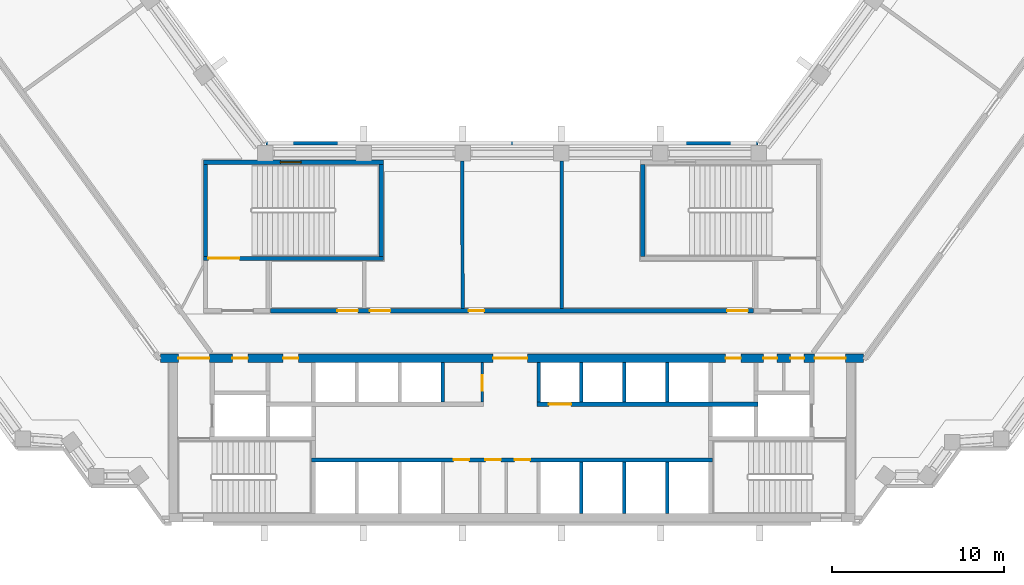
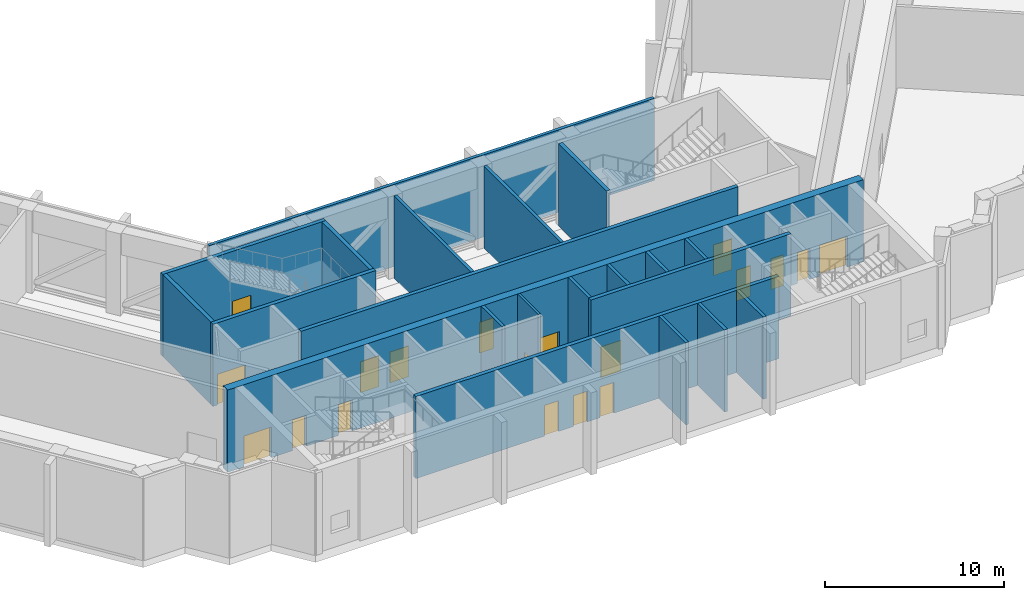
# One storey, part 10 of 16: 21 walls, 18 doors, 1 window, 19 openings.
"""IFC4 building model written with IfcOpenShell, lengths in metres."""

from ifc_helpers import new_model, si_unit, direction, frame, frame_2d, origin, place, context, subcontext, project, spatial, rectangle, extrude, material, layer, layer_set, type_object, element, fill, save


model = new_model("IFC4")

# Units and contexts
model_context = context("Model", 3, precision=1e-05, world=origin(), true_north=direction((0.0, 1.0)))
body_context = subcontext(model_context, "Body", "Model", "MODEL_VIEW")
ifc_project = project(units=[si_unit("LENGTHUNIT", "METRE"), si_unit("AREAUNIT", "SQUARE_METRE"), si_unit("VOLUMEUNIT", "CUBIC_METRE"), si_unit("PLANEANGLEUNIT", "RADIAN"), si_unit("MASSUNIT", "GRAM", prefix="KILO")], contexts=[model_context])

# Site, building, storey
site_placement = place(None, origin())
site = spatial("IfcSite", under=ifc_project, at=site_placement, CompositionType="ELEMENT")
building_placement = place(site_placement, origin())
building = spatial("IfcBuilding", under=site, at=building_placement, Name="Quipu Civic Tower", CompositionType="ELEMENT")
storey_placement = place(building_placement, frame((0.0, 0.0, 133.0)))
storey = spatial("IfcBuildingStorey", under=building, at=storey_placement, Name="L31", CompositionType="ELEMENT", Elevation=133.0)

# Walls
ifc_material_1 = material(Name="Fired clay blockwork", Category="masonry")
ifc_layer_1 = layer(ifc_material_1, 0.199951171875)
ifc_layer_set_1 = layer_set([ifc_layer_1], Name="Fired clay blockwork")
wall_type_1 = type_object("IfcWallType", Name="Blockwork wall 200", PredefinedType="SOLIDWALL", material=ifc_layer_set_1)
for number, where, z_axis, x_axis, name in (
    (1, (-2.87890625, 1.449951171875, 0.0), (0.0, 0.0, 1.0), (-0.002499637128, 0.999996875902, 0.0), "Partition P06"),
    (2, (2.89892578125, 10.044921875, 0.0), (0.0, 0.0, 1.0), (0.0, -1.0, 0.0), "Partition P07"),
):
    element("IfcWall", number, at=place(storey_placement, frame(where, z_axis=z_axis, x_axis=x_axis)), inside=storey, type_object=wall_type_1, Name=name, PredefinedType="SOLIDWALL", context=body_context, shape_type="SweptSolid", body=[
        extrude(rectangle(XDim=8.594970703125, YDim=0.199951171875, at=frame_2d((4.29736328125, 0.0))), origin(), (0.0, 0.0, 1.0), 5.60009765625),
    ])

# Wall, openings, doors
ifc_material_2 = material(Name="Concrete C70/85", Category="concrete")
ifc_layer_2 = layer(ifc_material_2, 0.25)
ifc_layer_set_2 = layer_set([ifc_layer_2], Name="Concrete C70/85")
wall_type_2 = type_object("IfcWallType", Name="Core wall 250", PredefinedType="SHEAR", material=ifc_layer_set_2)
wall_1_placement = place(storey_placement, frame((11.699951171875, -7.375, 0.0), z_axis=(0.0, 0.0, 1.0), x_axis=(-1.0, 0.0, 0.0)))
wall_1 = element("IfcWall", 3, at=wall_1_placement, inside=storey, type_object=wall_type_2, Name="Core wall", PredefinedType="SHEAR", context=body_context, shape_type="SweptSolid", body=[
    extrude(rectangle(XDim=23.39990234375, YDim=0.25, at=frame_2d((11.699951171875, 0.0))), origin(), (0.0, 0.0, 1.0), 5.60009765625),
])
opening_1_placement = place(wall_1_placement, frame((14.199951171875, 0.0, 0.0)))
opening_1 = element("IfcOpeningElement", 4, at=opening_1_placement, cuts=wall_1, Name="Opening CD-01", PredefinedType="OPENING", context=body_context, shape_type="SweptSolid", body=[
    extrude(rectangle(XDim=0.89990234375, YDim=2.10009765625, at=frame_2d((0.449951171875, 1.050048828125))), frame((0.0, 0.135009765625, 0.0), z_axis=(0.0, -1.0, 0.0), x_axis=(1.0, 0.0, 0.0)), (0.0, 0.0, 1.0), 0.27001953125),
])
opening_2_placement = place(wall_1_placement, frame((12.35009765625, 0.0, 0.0)))
opening_2 = element("IfcOpeningElement", 5, at=opening_2_placement, cuts=wall_1, Name="Opening CD-02", PredefinedType="OPENING", context=body_context, shape_type="SweptSolid", body=[
    extrude(rectangle(XDim=0.89990234375, YDim=2.10009765625, at=frame_2d((0.449951171875, 1.050048828125))), frame((0.0, 0.135009765625, 0.0), z_axis=(0.0, -1.0, 0.0), x_axis=(1.0, 0.0, 0.0)), (0.0, 0.0, 1.0), 0.27001953125),
])
opening_3_placement = place(wall_1_placement, frame((10.64990234375, 0.0, 0.0)))
opening_3 = element("IfcOpeningElement", 6, at=opening_3_placement, cuts=wall_1, Name="Opening CD-03", PredefinedType="OPENING", context=body_context, shape_type="SweptSolid", body=[
    extrude(rectangle(XDim=0.89990234375, YDim=2.10009765625, at=frame_2d((0.449951171875, 1.050048828125))), frame((0.0, 0.135009765625, 0.0), z_axis=(0.0, -1.0, 0.0), x_axis=(1.0, 0.0, 0.0)), (0.0, 0.0, 1.0), 0.27001953125),
])
ifc_material_3 = material(Name="Fire rated steel door", Category="steel")
door_type_1 = type_object("IfcDoorType", Name="Fire door FD60 900 x 2100", OperationType="NOTDEFINED", PredefinedType="DOOR", material=ifc_material_3)
door_1_placement = place(opening_1_placement, origin())
door_1 = element("IfcDoor", 7, at=door_1_placement, inside=storey, type_object=door_type_1, Name="Plant door", OperationType="SINGLE_SWING_RIGHT", OverallHeight=2.10009765625, OverallWidth=0.89990234375, PredefinedType="DOOR", context=body_context, shape_type="SweptSolid", body=[
    extrude(rectangle(XDim=0.89990234375, YDim=2.10009765625, at=frame_2d((0.449951171875, 1.050048828125))), frame((0.0, 0.02490234375, 0.0), z_axis=(0.0, -1.0, 0.0), x_axis=(1.0, 0.0, 0.0)), (0.0, 0.0, 1.0), 0.050048828125),
])
fill(opening_1, door_1)
door_2_placement = place(opening_2_placement, origin())
door_2 = element("IfcDoor", 8, at=door_2_placement, inside=storey, type_object=door_type_1, Name="Plant door", OperationType="SINGLE_SWING_RIGHT", OverallHeight=2.10009765625, OverallWidth=0.89990234375, PredefinedType="DOOR", context=body_context, shape_type="SweptSolid", body=[
    extrude(rectangle(XDim=0.89990234375, YDim=2.10009765625, at=frame_2d((0.449951171875, 1.050048828125))), frame((0.0, 0.02490234375, 0.0), z_axis=(0.0, -1.0, 0.0), x_axis=(1.0, 0.0, 0.0)), (0.0, 0.0, 1.0), 0.050048828125),
])
fill(opening_2, door_2)
door_3_placement = place(opening_3_placement, origin())
door_3 = element("IfcDoor", 9, at=door_3_placement, inside=storey, type_object=door_type_1, Name="Plant door", OperationType="SINGLE_SWING_LEFT", OverallHeight=2.10009765625, OverallWidth=0.89990234375, PredefinedType="DOOR", context=body_context, shape_type="SweptSolid", body=[
    extrude(rectangle(XDim=0.89990234375, YDim=2.10009765625, at=frame_2d((0.449951171875, 1.050048828125))), frame((0.0, 0.02490234375, 0.0), z_axis=(0.0, -1.0, 0.0), x_axis=(1.0, 0.0, 0.0)), (0.0, 0.0, 1.0), 0.050048828125),
])
fill(opening_3, door_3)

# Wall, opening, door
wall_2_placement = place(storey_placement, frame((1.449951171875, -4.125, 0.0), z_axis=(0.0, 0.0, 1.0), x_axis=(1.0, 0.0, 0.0)))
wall_2 = element("IfcWall", 10, at=wall_2_placement, inside=storey, type_object=wall_type_2, Name="Core wall", PredefinedType="SHEAR", context=body_context, shape_type="SweptSolid", body=[
    extrude(rectangle(XDim=12.900146484375, YDim=0.25, at=frame_2d((6.4501953125, 0.0))), origin(), (0.0, 0.0, 1.0), 5.60009765625),
])
opening_4_placement = place(wall_2_placement, frame((0.699951171875, 0.0, 0.0)))
opening_4 = element("IfcOpeningElement", 11, at=opening_4_placement, cuts=wall_2, Name="Opening LD-FF3", PredefinedType="OPENING", context=body_context, shape_type="SweptSolid", body=[
    extrude(rectangle(XDim=1.300048828125, YDim=2.10009765625, at=frame_2d((0.64990234375, 1.050048828125))), frame((0.0, 0.135009765625, 0.0), z_axis=(0.0, -1.0, 0.0), x_axis=(1.0, 0.0, 0.0)), (0.0, 0.0, 1.0), 0.27001953125),
])
ifc_material_4 = material(Name="Stainless steel", Category="steel")
door_type_2 = type_object("IfcDoorType", Name="Lift landing door 1300 x 2100", OperationType="DOUBLE_DOOR_SLIDING", PredefinedType="DOOR", material=ifc_material_4)
door_4_placement = place(opening_4_placement, origin())
door_4 = element("IfcDoor", 12, at=door_4_placement, inside=storey, type_object=door_type_2, Name="Landing door FF3", OperationType="DOUBLE_DOOR_SLIDING", OverallHeight=2.10009765625, OverallWidth=1.300048828125, PredefinedType="DOOR", context=body_context, shape_type="SweptSolid", body=[
    extrude(rectangle(XDim=1.300048828125, YDim=2.10009765625, at=frame_2d((0.64990234375, 1.050048828125))), frame((0.0, 0.02490234375, 0.0), z_axis=(0.0, -1.0, 0.0), x_axis=(1.0, 0.0, 0.0)), (0.0, 0.0, 1.0), 0.050048828125),
])
fill(opening_4, door_4)

wall_3_placement = place(storey_placement, frame((-18.0, 4.375, 0.0), z_axis=(0.0, 0.0, 1.0), x_axis=(1.0, 0.0, 0.0)))
wall_3 = element("IfcWall", 13, at=wall_3_placement, inside=storey, type_object=wall_type_2, Name="Core wall", PredefinedType="SHEAR", context=body_context, shape_type="SweptSolid", body=[
    extrude(rectangle(XDim=10.5, YDim=0.25, at=frame_2d((5.25, 0.0))), origin(), (0.0, 0.0, 1.0), 5.60009765625),
])
opening_5_placement = place(wall_3_placement, frame((0.300048828125, 0.0, 0.0)))
opening_5 = element("IfcOpeningElement", 14, at=opening_5_placement, cuts=wall_3, Name="Opening CD-16", PredefinedType="OPENING", context=body_context, shape_type="SweptSolid", body=[
    extrude(rectangle(XDim=1.800048828125, YDim=2.10009765625, at=frame_2d((0.89990234375, 1.050048828125))), frame((0.0, 0.135009765625, 0.0), z_axis=(0.0, -1.0, 0.0), x_axis=(1.0, 0.0, 0.0)), (0.0, 0.0, 1.0), 0.27001953125),
])
ifc_material_5 = material(Name="Fire rated steel door", Category="steel")
door_type_3 = type_object("IfcDoorType", Name="Fire door FD90 double 1800 x 2100", OperationType="NOTDEFINED", PredefinedType="DOOR", material=ifc_material_5)
door_5_placement = place(opening_5_placement, origin())
door_5 = element("IfcDoor", 15, at=door_5_placement, inside=storey, type_object=door_type_3, Name="Door", OperationType="DOUBLE_DOOR_SINGLE_SWING", OverallHeight=2.10009765625, OverallWidth=1.800048828125, PredefinedType="DOOR", context=body_context, shape_type="SweptSolid", body=[
    extrude(rectangle(XDim=1.800048828125, YDim=2.10009765625, at=frame_2d((0.89990234375, 1.050048828125))), frame((0.0, 0.02490234375, 0.0), z_axis=(0.0, -1.0, 0.0), x_axis=(1.0, 0.0, 0.0)), (0.0, 0.0, 1.0), 0.050048828125),
])
fill(opening_5, door_5)

# Walls
for number, where, z_axis, x_axis, name in (
    (16, (-17.875, 4.5, 0.0), (0.0, 0.0, 1.0), (0.0, 1.0, 0.0), "Core wall"),
    (17, (-7.625, 4.5, 0.0), (0.0, 0.0, 1.0), (0.0, 1.0, 0.0), "Core wall"),
):
    element("IfcWall", number, at=place(storey_placement, frame(where, z_axis=z_axis, x_axis=x_axis)), inside=storey, type_object=wall_type_2, Name=name, PredefinedType="SHEAR", context=body_context, shape_type="SweptSolid", body=[
        extrude(rectangle(XDim=5.35009765625, YDim=0.25, at=frame_2d((2.675048828125, 0.0))), origin(), (0.0, 0.0, 1.0), 5.60009765625),
    ])

# Wall, opening, window
wall_4_placement = place(storey_placement, frame((-18.0, 9.97509765625, 0.0), z_axis=(0.0, 0.0, 1.0), x_axis=(1.0, 0.0, 0.0)))
wall_4 = element("IfcWall", 18, at=wall_4_placement, inside=storey, type_object=wall_type_2, Name="Core wall", PredefinedType="SHEAR", context=body_context, shape_type="SweptSolid", body=[
    extrude(rectangle(XDim=10.5, YDim=0.25, at=frame_2d((5.25, 0.0))), origin(), (0.0, 0.0, 1.0), 5.60009765625),
])
opening_6_placement = place(wall_4_placement, frame((4.5, 0.0, 1.0)))
opening_6 = element("IfcOpeningElement", 19, at=opening_6_placement, cuts=wall_4, Name="Opening SV-3", PredefinedType="OPENING", context=body_context, shape_type="SweptSolid", body=[
    extrude(rectangle(XDim=1.199951171875, YDim=1.199951171875, at=frame_2d((0.60009765625, 0.60009765625))), frame((0.0, 0.135009765625, 0.0), z_axis=(0.0, -1.0, 0.0), x_axis=(1.0, 0.0, 0.0)), (0.0, 0.0, 1.0), 0.27001953125),
])
ifc_material_6 = material(Name="Aluminium louvre", Category="aluminium")
window_type = type_object("IfcWindowType", Name="Stair ventilation louvre 1200 x 1200", PartitioningType="SINGLE_PANEL", PredefinedType="WINDOW", material=ifc_material_6)
window_placement = place(opening_6_placement, origin())
window = element("IfcWindow", 20, at=window_placement, inside=storey, type_object=window_type, Name="Stair ventilation opening", OverallHeight=1.199951171875, OverallWidth=1.199951171875, PartitioningType="SINGLE_PANEL", PredefinedType="WINDOW", context=body_context, shape_type="SweptSolid", body=[
    extrude(rectangle(XDim=1.199951171875, YDim=1.199951171875, at=frame_2d((0.60009765625, 0.60009765625))), frame((0.0, 0.030029296875, 0.0), z_axis=(0.0, -1.0, 0.0), x_axis=(1.0, 0.0, 0.0)), (0.0, 0.0, 1.0), 0.06005859375),
])
fill(opening_6, window)

# Wall
wall_5_placement = place(storey_placement, frame((7.625, 4.5, 0.0), z_axis=(0.0, 0.0, 1.0), x_axis=(0.0, 1.0, 0.0)))
element("IfcWall", 21, at=wall_5_placement, inside=storey, type_object=wall_type_2, Name="Core wall", PredefinedType="SHEAR", context=body_context, shape_type="SweptSolid", body=[
    extrude(rectangle(XDim=5.35009765625, YDim=0.25, at=frame_2d((2.675048828125, 0.0))), origin(), (0.0, 0.0, 1.0), 5.60009765625),
])

# Wall, openings, doors
ifc_material_7 = material(Name="Concrete C70/85", Category="concrete")
ifc_layer_3 = layer(ifc_material_7, 0.5)
ifc_layer_set_3 = layer_set([ifc_layer_3], Name="Concrete C70/85")
wall_type_3 = type_object("IfcWallType", Name="Core wall 500", PredefinedType="SHEAR", material=ifc_layer_set_3)
wall_6_placement = place(storey_placement, frame((20.489990234375, -1.449951171875, 0.0), z_axis=(0.0, 0.0, 1.0), x_axis=(-1.0, 0.0, 0.0)))
wall_6 = element("IfcWall", 22, at=wall_6_placement, inside=storey, type_object=wall_type_3, Name="Core wall", PredefinedType="SHEAR", context=body_context, shape_type="SweptSolid", body=[
    extrude(rectangle(XDim=40.97998046875, YDim=0.5, at=frame_2d((20.489990234375, 0.0))), origin(), (0.0, 0.0, 1.0), 5.60009765625),
])
opening_7_placement = place(wall_6_placement, frame((38.139892578125, 0.0, 0.0)))
opening_7 = element("IfcOpeningElement", 23, at=opening_7_placement, cuts=wall_6, Name="Opening CD-07", PredefinedType="OPENING", context=body_context, shape_type="SweptSolid", body=[
    extrude(rectangle(XDim=1.800048828125, YDim=2.10009765625, at=frame_2d((0.89990234375, 1.050048828125))), frame((0.0, 0.260009765625, 0.0), z_axis=(0.0, -1.0, 0.0), x_axis=(1.0, 0.0, 0.0)), (0.0, 0.0, 1.0), 0.52001953125),
])
opening_8_placement = place(wall_6_placement, frame((35.889892578125, 0.0, 0.0)))
opening_8 = element("IfcOpeningElement", 24, at=opening_8_placement, cuts=wall_6, Name="Opening CD-08", PredefinedType="OPENING", context=body_context, shape_type="SweptSolid", body=[
    extrude(rectangle(XDim=0.89990234375, YDim=2.10009765625, at=frame_2d((0.449951171875, 1.050048828125))), frame((0.0, 0.260009765625, 0.0), z_axis=(0.0, -1.0, 0.0), x_axis=(1.0, 0.0, 0.0)), (0.0, 0.0, 1.0), 0.52001953125),
])
opening_9_placement = place(wall_6_placement, frame((32.93994140625, 0.0, 0.0)))
opening_9 = element("IfcOpeningElement", 25, at=opening_9_placement, cuts=wall_6, Name="Opening CD-09", PredefinedType="OPENING", context=body_context, shape_type="SweptSolid", body=[
    extrude(rectangle(XDim=0.89990234375, YDim=2.10009765625, at=frame_2d((0.449951171875, 1.050048828125))), frame((0.0, 0.260009765625, 0.0), z_axis=(0.0, -1.0, 0.0), x_axis=(1.0, 0.0, 0.0)), (0.0, 0.0, 1.0), 0.52001953125),
])
opening_10_placement = place(wall_6_placement, frame((19.590087890625, 0.0, 0.0)))
opening_10 = element("IfcOpeningElement", 26, at=opening_10_placement, cuts=wall_6, Name="Opening CD-10", PredefinedType="OPENING", context=body_context, shape_type="SweptSolid", body=[
    extrude(rectangle(XDim=2.0, YDim=2.10009765625, at=frame_2d((1.0, 1.050048828125))), frame((0.0, 0.260009765625, 0.0), z_axis=(0.0, -1.0, 0.0), x_axis=(1.0, 0.0, 0.0)), (0.0, 0.0, 1.0), 0.52001953125),
])
opening_11_placement = place(wall_6_placement, frame((7.139892578125, 0.0, 0.0)))
opening_11 = element("IfcOpeningElement", 27, at=opening_11_placement, cuts=wall_6, Name="Opening CD-11", PredefinedType="OPENING", context=body_context, shape_type="SweptSolid", body=[
    extrude(rectangle(XDim=0.89990234375, YDim=2.10009765625, at=frame_2d((0.449951171875, 1.050048828125))), frame((0.0, 0.260009765625, 0.0), z_axis=(0.0, -1.0, 0.0), x_axis=(1.0, 0.0, 0.0)), (0.0, 0.0, 1.0), 0.52001953125),
])
opening_12_placement = place(wall_6_placement, frame((5.027587890625, 0.0, 0.0)))
opening_12 = element("IfcOpeningElement", 28, at=opening_12_placement, cuts=wall_6, Name="Opening CD-12", PredefinedType="OPENING", context=body_context, shape_type="SweptSolid", body=[
    extrude(rectangle(XDim=0.800048828125, YDim=2.10009765625, at=frame_2d((0.39990234375, 1.050048828125))), frame((0.0, 0.260009765625, 0.0), z_axis=(0.0, -1.0, 0.0), x_axis=(1.0, 0.0, 0.0)), (0.0, 0.0, 1.0), 0.52001953125),
])
opening_13_placement = place(wall_6_placement, frame((3.452392578125, 0.0, 0.0)))
opening_13 = element("IfcOpeningElement", 29, at=opening_13_placement, cuts=wall_6, Name="Opening CD-13", PredefinedType="OPENING", context=body_context, shape_type="SweptSolid", body=[
    extrude(rectangle(XDim=0.800048828125, YDim=2.10009765625, at=frame_2d((0.39990234375, 1.050048828125))), frame((0.0, 0.260009765625, 0.0), z_axis=(0.0, -1.0, 0.0), x_axis=(1.0, 0.0, 0.0)), (0.0, 0.0, 1.0), 0.52001953125),
])
opening_14_placement = place(wall_6_placement, frame((1.0400390625, 0.0, 0.0)))
opening_14 = element("IfcOpeningElement", 30, at=opening_14_placement, cuts=wall_6, Name="Opening CD-14", PredefinedType="OPENING", context=body_context, shape_type="SweptSolid", body=[
    extrude(rectangle(XDim=1.800048828125, YDim=2.10009765625, at=frame_2d((0.89990234375, 1.050048828125))), frame((0.0, 0.260009765625, 0.0), z_axis=(0.0, -1.0, 0.0), x_axis=(1.0, 0.0, 0.0)), (0.0, 0.0, 1.0), 0.52001953125),
])
ifc_material_8 = material(Name="Fire rated steel door", Category="steel")
door_type_4 = type_object("IfcDoorType", Name="Fire door FD60 800 x 2100", OperationType="NOTDEFINED", PredefinedType="DOOR", material=ifc_material_8)
door_6_placement = place(opening_12_placement, origin())
door_6 = element("IfcDoor", 31, at=door_6_placement, inside=storey, type_object=door_type_4, Name="Door", OperationType="SINGLE_SWING_LEFT", OverallHeight=2.10009765625, OverallWidth=0.800048828125, PredefinedType="DOOR", context=body_context, shape_type="SweptSolid", body=[
    extrude(rectangle(XDim=0.800048828125, YDim=2.10009765625, at=frame_2d((0.39990234375, 1.050048828125))), frame((0.0, 0.02490234375, 0.0), z_axis=(0.0, -1.0, 0.0), x_axis=(1.0, 0.0, 0.0)), (0.0, 0.0, 1.0), 0.050048828125),
])
fill(opening_12, door_6)
door_7_placement = place(opening_13_placement, origin())
door_7 = element("IfcDoor", 32, at=door_7_placement, inside=storey, type_object=door_type_4, Name="Door", OperationType="SINGLE_SWING_LEFT", OverallHeight=2.10009765625, OverallWidth=0.800048828125, PredefinedType="DOOR", context=body_context, shape_type="SweptSolid", body=[
    extrude(rectangle(XDim=0.800048828125, YDim=2.10009765625, at=frame_2d((0.39990234375, 1.050048828125))), frame((0.0, 0.02490234375, 0.0), z_axis=(0.0, -1.0, 0.0), x_axis=(1.0, 0.0, 0.0)), (0.0, 0.0, 1.0), 0.050048828125),
])
fill(opening_13, door_7)
door_8_placement = place(opening_8_placement, origin())
door_8 = element("IfcDoor", 33, at=door_8_placement, inside=storey, type_object=door_type_1, Name="Door", OperationType="SINGLE_SWING_RIGHT", OverallHeight=2.10009765625, OverallWidth=0.89990234375, PredefinedType="DOOR", context=body_context, shape_type="SweptSolid", body=[
    extrude(rectangle(XDim=0.89990234375, YDim=2.10009765625, at=frame_2d((0.449951171875, 1.050048828125))), frame((0.0, 0.02490234375, 0.0), z_axis=(0.0, -1.0, 0.0), x_axis=(1.0, 0.0, 0.0)), (0.0, 0.0, 1.0), 0.050048828125),
])
fill(opening_8, door_8)
door_9_placement = place(opening_9_placement, origin())
door_9 = element("IfcDoor", 34, at=door_9_placement, inside=storey, type_object=door_type_1, Name="Riser door", OperationType="SINGLE_SWING_RIGHT", OverallHeight=2.10009765625, OverallWidth=0.89990234375, PredefinedType="DOOR", context=body_context, shape_type="SweptSolid", body=[
    extrude(rectangle(XDim=0.89990234375, YDim=2.10009765625, at=frame_2d((0.449951171875, 1.050048828125))), frame((0.0, 0.02490234375, 0.0), z_axis=(0.0, -1.0, 0.0), x_axis=(1.0, 0.0, 0.0)), (0.0, 0.0, 1.0), 0.050048828125),
])
fill(opening_9, door_9)
door_10_placement = place(opening_11_placement, origin())
door_10 = element("IfcDoor", 35, at=door_10_placement, inside=storey, type_object=door_type_1, Name="Riser door", OperationType="SINGLE_SWING_LEFT", OverallHeight=2.10009765625, OverallWidth=0.89990234375, PredefinedType="DOOR", context=body_context, shape_type="SweptSolid", body=[
    extrude(rectangle(XDim=0.89990234375, YDim=2.10009765625, at=frame_2d((0.449951171875, 1.050048828125))), frame((0.0, 0.02490234375, 0.0), z_axis=(0.0, -1.0, 0.0), x_axis=(1.0, 0.0, 0.0)), (0.0, 0.0, 1.0), 0.050048828125),
])
fill(opening_11, door_10)
door_11_placement = place(opening_7_placement, origin())
door_11 = element("IfcDoor", 36, at=door_11_placement, inside=storey, type_object=door_type_3, Name="Lobby door", OperationType="DOUBLE_DOOR_SINGLE_SWING", OverallHeight=2.10009765625, OverallWidth=1.800048828125, PredefinedType="DOOR", context=body_context, shape_type="SweptSolid", body=[
    extrude(rectangle(XDim=1.800048828125, YDim=2.10009765625, at=frame_2d((0.89990234375, 1.050048828125))), frame((0.0, 0.02490234375, 0.0), z_axis=(0.0, -1.0, 0.0), x_axis=(1.0, 0.0, 0.0)), (0.0, 0.0, 1.0), 0.050048828125),
])
fill(opening_7, door_11)
door_12_placement = place(opening_14_placement, origin())
door_12 = element("IfcDoor", 37, at=door_12_placement, inside=storey, type_object=door_type_3, Name="Lobby door", OperationType="DOUBLE_DOOR_SINGLE_SWING", OverallHeight=2.10009765625, OverallWidth=1.800048828125, PredefinedType="DOOR", context=body_context, shape_type="SweptSolid", body=[
    extrude(rectangle(XDim=1.800048828125, YDim=2.10009765625, at=frame_2d((0.89990234375, 1.050048828125))), frame((0.0, 0.02490234375, 0.0), z_axis=(0.0, -1.0, 0.0), x_axis=(1.0, 0.0, 0.0)), (0.0, 0.0, 1.0), 0.050048828125),
])
fill(opening_14, door_12)
ifc_material_9 = material(Name="Fire rated steel door", Category="steel")
door_type_5 = type_object("IfcDoorType", Name="Fire door FD90 double 2000 x 2100", OperationType="NOTDEFINED", PredefinedType="DOOR", material=ifc_material_9)
door_13_placement = place(opening_10_placement, origin())
door_13 = element("IfcDoor", 38, at=door_13_placement, inside=storey, type_object=door_type_5, Name="Lobby door", OperationType="DOUBLE_DOOR_SINGLE_SWING", OverallHeight=2.10009765625, OverallWidth=2.0, PredefinedType="DOOR", context=body_context, shape_type="SweptSolid", body=[
    extrude(rectangle(XDim=2.0, YDim=2.10009765625, at=frame_2d((1.0, 1.050048828125))), frame((0.0, 0.02490234375, 0.0), z_axis=(0.0, -1.0, 0.0), x_axis=(1.0, 0.0, 0.0)), (0.0, 0.0, 1.0), 0.050048828125),
])
fill(opening_10, door_13)

ifc_material_10 = material(Name="Concrete C50/60", Category="concrete")
ifc_layer_4 = layer(ifc_material_10, 0.25)
ifc_layer_set_4 = layer_set([ifc_layer_4], Name="Concrete C50/60")
wall_type_4 = type_object("IfcWallType", Name="Corridor wall 250 concrete", PredefinedType="SOLIDWALL", material=ifc_layer_set_4)
wall_7_placement = place(storey_placement, frame((-14.090087890625, 1.324951171875, 0.0), z_axis=(0.0, 0.0, 1.0), x_axis=(1.0, 0.0, 0.0)))
wall_7 = element("IfcWall", 39, at=wall_7_placement, inside=storey, type_object=wall_type_4, Name="Corridor wall C06", PredefinedType="SOLIDWALL", context=body_context, shape_type="SweptSolid", body=[
    extrude(rectangle(XDim=28.18017578125, YDim=0.25, at=frame_2d((14.090087890625, 0.0))), origin(), (0.0, 0.0, 1.0), 5.60009765625),
])
opening_15_placement = place(wall_7_placement, frame((5.802978515625, 0.0, 0.0)))
opening_15 = element("IfcOpeningElement", 40, at=opening_15_placement, cuts=wall_7, Name="Opening D006", PredefinedType="OPENING", context=body_context, shape_type="SweptSolid", body=[
    extrude(rectangle(XDim=1.199951171875, YDim=2.10009765625, at=frame_2d((0.60009765625, 1.050048828125))), frame((0.0, 0.135009765625, 0.0), z_axis=(0.0, -1.0, 0.0), x_axis=(1.0, 0.0, 0.0)), (0.0, 0.0, 1.0), 0.27001953125),
])
opening_16_placement = place(wall_7_placement, frame((26.639892578125, 0.0, 0.0)))
opening_16 = element("IfcOpeningElement", 41, at=opening_16_placement, cuts=wall_7, Name="Opening D008", PredefinedType="OPENING", context=body_context, shape_type="SweptSolid", body=[
    extrude(rectangle(XDim=1.199951171875, YDim=2.10009765625, at=frame_2d((0.60009765625, 1.050048828125))), frame((0.0, 0.135009765625, 0.0), z_axis=(0.0, -1.0, 0.0), x_axis=(1.0, 0.0, 0.0)), (0.0, 0.0, 1.0), 0.27001953125),
])
opening_17_placement = place(wall_7_placement, frame((3.903076171875, 0.0, 0.0)))
opening_17 = element("IfcOpeningElement", 42, at=opening_17_placement, cuts=wall_7, Name="Opening D005", PredefinedType="OPENING", context=body_context, shape_type="SweptSolid", body=[
    extrude(rectangle(XDim=1.199951171875, YDim=2.10009765625, at=frame_2d((0.60009765625, 1.050048828125))), frame((0.0, 0.135009765625, 0.0), z_axis=(0.0, -1.0, 0.0), x_axis=(1.0, 0.0, 0.0)), (0.0, 0.0, 1.0), 0.27001953125),
])
opening_18_placement = place(wall_7_placement, frame((11.56103515625, 0.0, 0.0)))
opening_18 = element("IfcOpeningElement", 43, at=opening_18_placement, cuts=wall_7, Name="Opening D007", PredefinedType="OPENING", context=body_context, shape_type="SweptSolid", body=[
    extrude(rectangle(XDim=0.89990234375, YDim=2.10009765625, at=frame_2d((0.449951171875, 1.050048828125))), frame((0.0, 0.135009765625, 0.0), z_axis=(0.0, -1.0, 0.0), x_axis=(1.0, 0.0, 0.0)), (0.0, 0.0, 1.0), 0.27001953125),
])
ifc_material_11 = material(Name="Fire rated timber door set with metal frame", Category="wood")
door_type_6 = type_object("IfcDoorType", Name="Single door 1200 x 2100 FD60", OperationType="NOTDEFINED", PredefinedType="DOOR", material=ifc_material_11)
door_14_placement = place(opening_15_placement, origin())
door_14 = element("IfcDoor", 44, at=door_14_placement, inside=storey, type_object=door_type_6, Name="Door D006", OperationType="SINGLE_SWING_LEFT", OverallHeight=2.10009765625, OverallWidth=1.199951171875, PredefinedType="DOOR", context=body_context, shape_type="SweptSolid", body=[
    extrude(rectangle(XDim=1.199951171875, YDim=2.10009765625, at=frame_2d((0.60009765625, 1.050048828125))), frame((0.0, 0.02490234375, 0.0), z_axis=(0.0, -1.0, 0.0), x_axis=(1.0, 0.0, 0.0)), (0.0, 0.0, 1.0), 0.050048828125),
])
fill(opening_15, door_14)
door_15_placement = place(opening_16_placement, origin())
door_15 = element("IfcDoor", 45, at=door_15_placement, inside=storey, type_object=door_type_6, Name="Door D008", OperationType="SINGLE_SWING_RIGHT", OverallHeight=2.10009765625, OverallWidth=1.199951171875, PredefinedType="DOOR", context=body_context, shape_type="SweptSolid", body=[
    extrude(rectangle(XDim=1.199951171875, YDim=2.10009765625, at=frame_2d((0.60009765625, 1.050048828125))), frame((0.0, 0.02490234375, 0.0), z_axis=(0.0, -1.0, 0.0), x_axis=(1.0, 0.0, 0.0)), (0.0, 0.0, 1.0), 0.050048828125),
])
fill(opening_16, door_15)
door_16_placement = place(opening_17_placement, origin())
door_16 = element("IfcDoor", 46, at=door_16_placement, inside=storey, type_object=door_type_6, Name="Door D005", OperationType="SINGLE_SWING_RIGHT", OverallHeight=2.10009765625, OverallWidth=1.199951171875, PredefinedType="DOOR", context=body_context, shape_type="SweptSolid", body=[
    extrude(rectangle(XDim=1.199951171875, YDim=2.10009765625, at=frame_2d((0.60009765625, 1.050048828125))), frame((0.0, 0.02490234375, 0.0), z_axis=(0.0, -1.0, 0.0), x_axis=(1.0, 0.0, 0.0)), (0.0, 0.0, 1.0), 0.050048828125),
])
fill(opening_17, door_16)
ifc_material_12 = material(Name="Fire rated timber door set with metal frame", Category="wood")
door_type_7 = type_object("IfcDoorType", Name="Single door 900 x 2100 FD60", OperationType="NOTDEFINED", PredefinedType="DOOR", material=ifc_material_12)
door_17_placement = place(opening_18_placement, origin())
door_17 = element("IfcDoor", 47, at=door_17_placement, inside=storey, type_object=door_type_7, Name="Door D007", OperationType="SINGLE_SWING_LEFT", OverallHeight=2.10009765625, OverallWidth=0.89990234375, PredefinedType="DOOR", context=body_context, shape_type="SweptSolid", body=[
    extrude(rectangle(XDim=0.89990234375, YDim=2.10009765625, at=frame_2d((0.449951171875, 1.050048828125))), frame((0.0, 0.02490234375, 0.0), z_axis=(0.0, -1.0, 0.0), x_axis=(1.0, 0.0, 0.0)), (0.0, 0.0, 1.0), 0.050048828125),
])
fill(opening_18, door_17)

# Wall, opening, door
ifc_material_13 = material(Name="Gypsum board partition")
ifc_layer_5 = layer(ifc_material_13, 0.14990234375)
ifc_layer_set_5 = layer_set([ifc_layer_5], Name="Gypsum board partition")
wall_type_5 = type_object("IfcWallType", Name="Partition 150", PredefinedType="PARTITIONING", material=ifc_layer_set_5)
wall_8_placement = place(storey_placement, frame((-1.72509765625, -1.699951171875, 0.0), z_axis=(0.0, 0.0, 1.0), x_axis=(0.0, -1.0, 0.0)))
wall_8 = element("IfcWall", 48, at=wall_8_placement, inside=storey, type_object=wall_type_5, Name="Partition", PredefinedType="PARTITIONING", context=body_context, shape_type="SweptSolid", body=[
    extrude(rectangle(XDim=2.300048828125, YDim=0.14990234375, at=frame_2d((1.14990234375, 0.0))), origin(), (0.0, 0.0, 1.0), 5.60009765625),
])
opening_19_placement = place(wall_8_placement, frame((0.75, 0.0, 0.0)))
opening_19 = element("IfcOpeningElement", 49, at=opening_19_placement, cuts=wall_8, Name="Opening CD-06", PredefinedType="OPENING", context=body_context, shape_type="SweptSolid", body=[
    extrude(rectangle(XDim=0.89990234375, YDim=2.10009765625, at=frame_2d((0.449951171875, 1.050048828125))), frame((0.0, 0.0849609375, 0.0), z_axis=(0.0, -1.0, 0.0), x_axis=(1.0, 0.0, 0.0)), (0.0, 0.0, 1.0), 0.169921875),
])
door_18_placement = place(opening_19_placement, origin())
door_18 = element("IfcDoor", 50, at=door_18_placement, inside=storey, type_object=door_type_1, Name="WC door", OperationType="SINGLE_SWING_RIGHT", OverallHeight=2.10009765625, OverallWidth=0.89990234375, PredefinedType="DOOR", context=body_context, shape_type="SweptSolid", body=[
    extrude(rectangle(XDim=0.89990234375, YDim=2.10009765625, at=frame_2d((0.449951171875, 1.050048828125))), frame((0.0, 0.02490234375, 0.0), z_axis=(0.0, -1.0, 0.0), x_axis=(1.0, 0.0, 0.0)), (0.0, 0.0, 1.0), 0.050048828125),
])
fill(opening_19, door_18)

# Walls
ifc_material_14 = material(Name="Precast concrete C40/50", Category="concrete")
wall_type_6 = type_object("IfcWallType", Name="Precast cladding wall", PredefinedType="SOLIDWALL", material=ifc_material_14)
wall_9_placement = place(storey_placement, frame((14.34423828125, 11.087890625, 0.0), z_axis=(0.0, 0.0, 1.0), x_axis=(-1.0, 0.0, 0.0)))
element("IfcWall", 51, at=wall_9_placement, inside=storey, type_object=wall_type_6, Name="Precast cladding wall L31 36", PredefinedType="SOLIDWALL", context=body_context, shape_type="SweptSolid", body=[
    extrude(rectangle(XDim=28.6884765625, YDim=0.199951171875, at=frame_2d((14.34423828125, 0.0))), origin(), (0.0, 0.0, 1.0), 5.60009765625),
])
ifc_material_15 = material(Name="Concrete C40/50", Category="concrete")
ifc_layer_6 = layer(ifc_material_15, 0.199951171875)
ifc_layer_set_6 = layer_set([ifc_layer_6], Name="Concrete C40/50")
wall_type_7 = type_object("IfcWallType", Name="Shaft wall 200", PredefinedType="SOLIDWALL", material=ifc_layer_set_6)
for number, where, z_axis, x_axis, name in (
    (52, (4.050048828125, -10.5, 0.0), (0.0, 0.0, 1.0), (0.0, 1.0, 0.0), "Shaft wall"),
    (53, (6.550048828125, -10.5, 0.0), (0.0, 0.0, 1.0), (0.0, 1.0, 0.0), "Shaft wall"),
    (54, (9.050048828125, -10.5, 0.0), (0.0, 0.0, 1.0), (0.0, 1.0, 0.0), "Shaft wall"),
):
    element("IfcWall", number, at=place(storey_placement, frame(where, z_axis=z_axis, x_axis=x_axis)), inside=storey, type_object=wall_type_7, Name=name, PredefinedType="SOLIDWALL", context=body_context, shape_type="SweptSolid", body=[
        extrude(rectangle(XDim=3.0, YDim=0.199951171875, at=frame_2d((1.5, 0.0))), origin(), (0.0, 0.0, 1.0), 5.60009765625),
    ])
for number, where, z_axis, x_axis, name in (
    (55, (-4.050048828125, -4.0, 0.0), (0.0, 0.0, 1.0), (0.0, 1.0, 0.0), "Shaft wall"),
    (56, (1.550048828125, -4.0, 0.0), (0.0, 0.0, 1.0), (0.0, 1.0, 0.0), "Shaft wall"),
    (57, (4.050048828125, -4.0, 0.0), (0.0, 0.0, 1.0), (0.0, 1.0, 0.0), "Shaft wall"),
    (58, (6.550048828125, -4.0, 0.0), (0.0, 0.0, 1.0), (0.0, 1.0, 0.0), "Shaft wall"),
    (59, (9.050048828125, -4.0, 0.0), (0.0, 0.0, 1.0), (0.0, 1.0, 0.0), "Shaft wall"),
):
    element("IfcWall", number, at=place(storey_placement, frame(where, z_axis=z_axis, x_axis=x_axis)), inside=storey, type_object=wall_type_7, Name=name, PredefinedType="SOLIDWALL", context=body_context, shape_type="SweptSolid", body=[
        extrude(rectangle(XDim=2.300048828125, YDim=0.199951171875, at=frame_2d((1.14990234375, 0.0))), origin(), (0.0, 0.0, 1.0), 5.60009765625),
    ])

save(model, "model.ifc")
